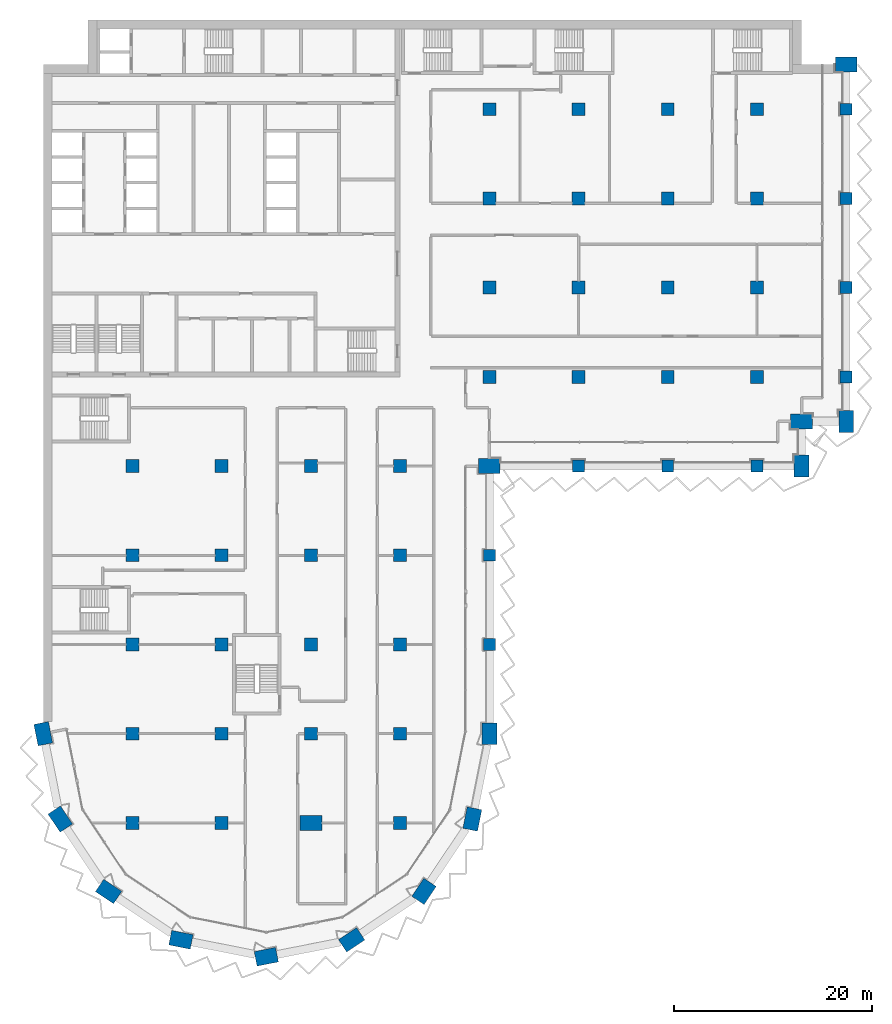
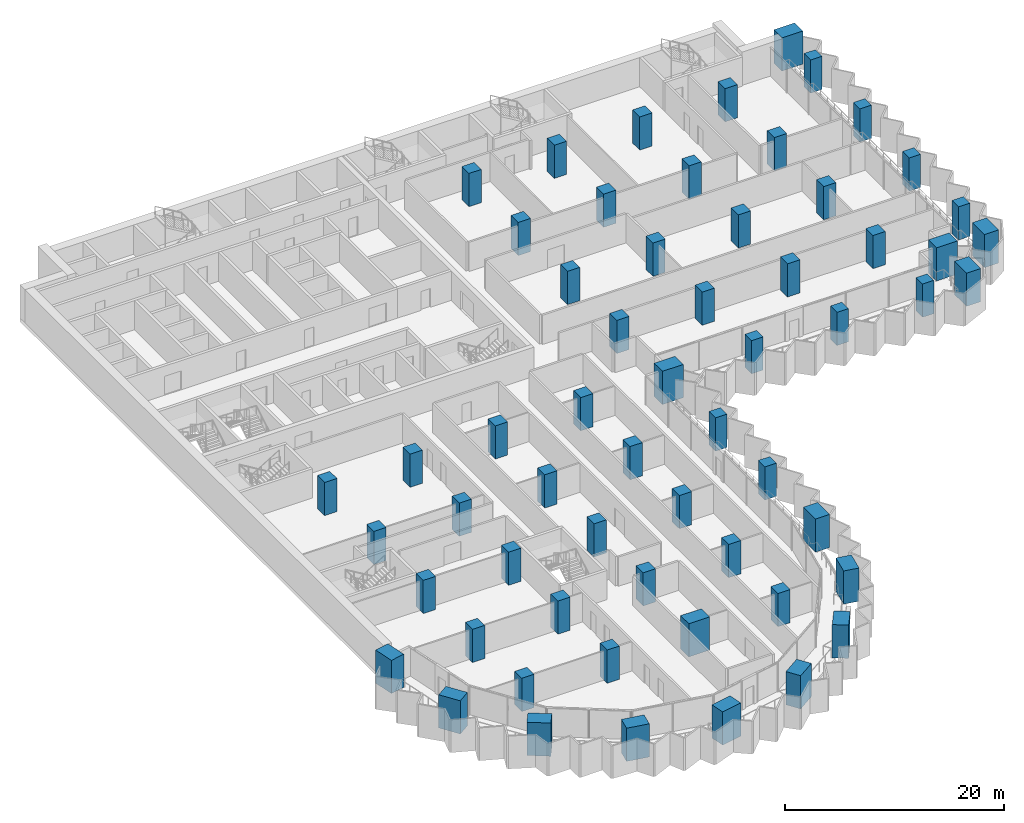
# One storey, part 1 of 23: 59 columns.
"""IFC4 building model written with IfcOpenShell, lengths in metres."""

from ifc_helpers import new_model, si_unit, direction, frame, origin, origin_2d, place, context, subcontext, project, spatial, rectangle, extrude, material, material_profile, profile_set, type_object, element, save


model = new_model("IFC4")

# Units and contexts
model_context = context("Model", 3, precision=1e-05, world=origin(), true_north=direction((0.0, 1.0)))
body_context = subcontext(model_context, "Body", "Model", "MODEL_VIEW")
ifc_project = project(units=[si_unit("LENGTHUNIT", "METRE"), si_unit("AREAUNIT", "SQUARE_METRE"), si_unit("VOLUMEUNIT", "CUBIC_METRE"), si_unit("PLANEANGLEUNIT", "RADIAN"), si_unit("MASSUNIT", "GRAM", prefix="KILO")], contexts=[model_context])

# Site, building, storey
site_placement = place(None, origin())
site = spatial("IfcSite", under=ifc_project, at=site_placement, CompositionType="ELEMENT")
building_placement = place(site_placement, origin())
building = spatial("IfcBuilding", under=site, at=building_placement, Name="Hunhe Ridgeline Campus", CompositionType="ELEMENT")
storey_placement = place(building_placement, frame((0.0, 0.0, 125.5)))
storey = spatial("IfcBuildingStorey", under=building, at=storey_placement, Name="L31", CompositionType="ELEMENT", Elevation=125.5)

# Columns
ifc_material = material(Name="Concrete C70", Category="concrete")
ifc_material_profile_1 = material_profile(ifc_material, rectangle(XDim=2.199951171875, YDim=1.5, at=origin_2d()))
ifc_profile_set_1 = profile_set([ifc_material_profile_1], Name="Concrete C70")
column_type_1 = type_object("IfcColumnType", Name="Megacolumn 2200x1500 Concrete C70", PredefinedType="COLUMN", material=ifc_profile_set_1)
for number, where, z_axis, x_axis, name in (
    (1, (22.5, 4.5, 0.0), (0.0, 0.0, 1.0), (0.980785280403, 0.195090322016, 0.0), "Column C6 R1 L31"),
    (2, (13.8896484375, 6.212646484375, 0.0), (0.0, 0.0, 1.0), (-0.980785280403, 0.195090322016, 0.0), "Column C6 R2 L31"),
    (3, (31.1103515625, 6.212646484375, 0.0), (0.0, 0.0, 1.0), (0.831469612303, 0.55557023302, 0.0), "Column C6 R3 L31"),
    (4, (6.590087890625, 11.090087890625, 0.0), (0.0, 0.0, 1.0), (-0.831469612303, 0.55557023302, 0.0), "Column C6 R4 L31"),
    (5, (38.409912109375, 11.090087890625, 0.0), (0.0, 0.0, 1.0), (0.55557023302, 0.831469612303, 0.0), "Column C6 R5 L31"),
    (6, (1.712646484375, 18.3896484375, 0.0), (0.0, 0.0, 1.0), (-0.55557023302, 0.831469612303, 0.0), "Column C6 R9 L31"),
    (7, (43.287353515625, 18.3896484375, 0.0), (0.0, 0.0, 1.0), (0.195090322016, 0.980785280403, 0.0), "Column C6 R10 L31"),
    (8, (0.0, 27.0, 0.0), (0.0, 0.0, 1.0), (-0.195090322016, 0.980785280403, 0.0), "Column C6 D1 L31"),
    (9, (45.0, 27.0, 0.0), (0.0, 0.0, 1.0), (0.0, 1.0, 0.0), "Column C6 D6 L31"),
    (10, (45.0, 54.0, 0.0), (0.0, 0.0, 1.0), (1.0, 0.0, 0.0), "Column C6 G6 L31"),
    (11, (76.5, 54.0, 0.0), (0.0, 0.0, 1.0), (0.0, 1.0, 0.0), "Column C6 R31 L31"),
    (12, (76.5, 58.5, 0.0), (0.0, 0.0, 1.0), (1.0, 0.0, 0.0), "Column C6 R37 L31"),
    (13, (81.0, 58.5, 0.0), (0.0, 0.0, 1.0), (0.0, 1.0, 0.0), "Column C6 R38 L31"),
    (14, (81.0, 94.5, 0.0), (0.0, 0.0, 1.0), (1.0, 0.0, 0.0), "Column C6 R43 L31"),
    (15, (27.0, 18.0, 0.0), (0.0, 0.0, 1.0), (1.0, 0.0, 0.0), "Column C6 C4 L31"),
):
    element("IfcColumn", number, at=place(storey_placement, frame(where, z_axis=z_axis, x_axis=x_axis)), inside=storey, type_object=column_type_1, Name=name, PredefinedType="COLUMN", context=body_context, shape_type="SweptSolid", body=[
        extrude(rectangle(XDim=2.199951171875, YDim=1.5, at=origin_2d()), origin(), (0.0, 0.0, 1.0), 3.699951171875),
    ])
ifc_material_profile_2 = material_profile(ifc_material, rectangle(XDim=1.199951171875, YDim=1.199951171875, at=origin_2d()))
ifc_profile_set_2 = profile_set([ifc_material_profile_2], Name="Concrete C70")
column_type_2 = type_object("IfcColumnType", Name="RC column 1200x1200 Concrete C70", PredefinedType="COLUMN", material=ifc_profile_set_2)
for number, where, z_axis, x_axis, name in (
    (16, (45.0, 36.0, 0.0), (0.0, 0.0, 1.0), (1.0, 0.0, 0.0), "Column C7 E6 L31"),
    (17, (45.0, 45.0, 0.0), (0.0, 0.0, 1.0), (1.0, 0.0, 0.0), "Column C7 F6 L31"),
    (18, (54.0, 54.0, 0.0), (0.0, 0.0, 1.0), (1.0, 0.0, 0.0), "Column C7 G7 L31"),
    (19, (63.0, 54.0, 0.0), (0.0, 0.0, 1.0), (1.0, 0.0, 0.0), "Column C7 G8 L31"),
    (20, (72.0, 54.0, 0.0), (0.0, 0.0, 1.0), (1.0, 0.0, 0.0), "Column C7 G9 L31"),
    (21, (81.0, 63.0, 0.0), (0.0, 0.0, 1.0), (1.0, 0.0, 0.0), "Column C7 H10 L31"),
    (22, (81.0, 72.0, 0.0), (0.0, 0.0, 1.0), (1.0, 0.0, 0.0), "Column C7 I10 L31"),
    (23, (81.0, 81.0, 0.0), (0.0, 0.0, 1.0), (1.0, 0.0, 0.0), "Column C7 J10 L31"),
    (24, (81.0, 90.0, 0.0), (0.0, 0.0, 1.0), (1.0, 0.0, 0.0), "Column C7 K10 L31"),
):
    element("IfcColumn", number, at=place(storey_placement, frame(where, z_axis=z_axis, x_axis=x_axis)), inside=storey, type_object=column_type_2, Name=name, PredefinedType="COLUMN", context=body_context, shape_type="SweptSolid", body=[
        extrude(rectangle(XDim=1.199951171875, YDim=1.199951171875, at=origin_2d()), origin(), (0.0, 0.0, 1.0), 3.699951171875),
    ])
ifc_material_profile_3 = material_profile(ifc_material, rectangle(XDim=1.300048828125, YDim=1.300048828125, at=origin_2d()))
ifc_profile_set_3 = profile_set([ifc_material_profile_3], Name="Concrete C70")
column_type_3 = type_object("IfcColumnType", Name="RC column 1300x1300 Concrete C70", PredefinedType="COLUMN", material=ifc_profile_set_3)
for number, where, z_axis, x_axis, name in (
    (25, (9.0, 18.0, 0.0), (0.0, 0.0, 1.0), (1.0, 0.0, 0.0), "Column C8 C2 L31"),
    (26, (9.0, 27.0, 0.0), (0.0, 0.0, 1.0), (1.0, 0.0, 0.0), "Column C8 D2 L31"),
    (27, (9.0, 36.0, 0.0), (0.0, 0.0, 1.0), (1.0, 0.0, 0.0), "Column C8 E2 L31"),
    (28, (9.0, 45.0, 0.0), (0.0, 0.0, 1.0), (1.0, 0.0, 0.0), "Column C8 F2 L31"),
    (29, (9.0, 54.0, 0.0), (0.0, 0.0, 1.0), (1.0, 0.0, 0.0), "Column C8 G2 L31"),
    (30, (18.0, 18.0, 0.0), (0.0, 0.0, 1.0), (1.0, 0.0, 0.0), "Column C8 C3 L31"),
    (31, (18.0, 27.0, 0.0), (0.0, 0.0, 1.0), (1.0, 0.0, 0.0), "Column C8 D3 L31"),
    (32, (18.0, 36.0, 0.0), (0.0, 0.0, 1.0), (1.0, 0.0, 0.0), "Column C8 E3 L31"),
    (33, (18.0, 45.0, 0.0), (0.0, 0.0, 1.0), (1.0, 0.0, 0.0), "Column C8 F3 L31"),
    (34, (18.0, 54.0, 0.0), (0.0, 0.0, 1.0), (1.0, 0.0, 0.0), "Column C8 G3 L31"),
    (35, (27.0, 27.0, 0.0), (0.0, 0.0, 1.0), (1.0, 0.0, 0.0), "Column C8 D4 L31"),
    (36, (27.0, 36.0, 0.0), (0.0, 0.0, 1.0), (1.0, 0.0, 0.0), "Column C8 E4 L31"),
    (37, (27.0, 45.0, 0.0), (0.0, 0.0, 1.0), (1.0, 0.0, 0.0), "Column C8 F4 L31"),
    (38, (27.0, 54.0, 0.0), (0.0, 0.0, 1.0), (1.0, 0.0, 0.0), "Column C8 G4 L31"),
    (39, (36.0, 18.0, 0.0), (0.0, 0.0, 1.0), (1.0, 0.0, 0.0), "Column C8 C5 L31"),
    (40, (36.0, 27.0, 0.0), (0.0, 0.0, 1.0), (1.0, 0.0, 0.0), "Column C8 D5 L31"),
    (41, (36.0, 36.0, 0.0), (0.0, 0.0, 1.0), (1.0, 0.0, 0.0), "Column C8 E5 L31"),
    (42, (36.0, 45.0, 0.0), (0.0, 0.0, 1.0), (1.0, 0.0, 0.0), "Column C8 F5 L31"),
    (43, (36.0, 54.0, 0.0), (0.0, 0.0, 1.0), (1.0, 0.0, 0.0), "Column C8 G5 L31"),
    (44, (45.0, 63.0, 0.0), (0.0, 0.0, 1.0), (1.0, 0.0, 0.0), "Column C8 H6 L31"),
    (45, (45.0, 72.0, 0.0), (0.0, 0.0, 1.0), (1.0, 0.0, 0.0), "Column C8 I6 L31"),
    (46, (45.0, 81.0, 0.0), (0.0, 0.0, 1.0), (1.0, 0.0, 0.0), "Column C8 J6 L31"),
    (47, (45.0, 90.0, 0.0), (0.0, 0.0, 1.0), (1.0, 0.0, 0.0), "Column C8 K6 L31"),
    (48, (54.0, 63.0, 0.0), (0.0, 0.0, 1.0), (1.0, 0.0, 0.0), "Column C8 H7 L31"),
    (49, (54.0, 72.0, 0.0), (0.0, 0.0, 1.0), (1.0, 0.0, 0.0), "Column C8 I7 L31"),
    (50, (54.0, 81.0, 0.0), (0.0, 0.0, 1.0), (1.0, 0.0, 0.0), "Column C8 J7 L31"),
    (51, (54.0, 90.0, 0.0), (0.0, 0.0, 1.0), (1.0, 0.0, 0.0), "Column C8 K7 L31"),
    (52, (63.0, 63.0, 0.0), (0.0, 0.0, 1.0), (1.0, 0.0, 0.0), "Column C8 H8 L31"),
    (53, (63.0, 72.0, 0.0), (0.0, 0.0, 1.0), (1.0, 0.0, 0.0), "Column C8 I8 L31"),
    (54, (63.0, 81.0, 0.0), (0.0, 0.0, 1.0), (1.0, 0.0, 0.0), "Column C8 J8 L31"),
    (55, (63.0, 90.0, 0.0), (0.0, 0.0, 1.0), (1.0, 0.0, 0.0), "Column C8 K8 L31"),
    (56, (72.0, 63.0, 0.0), (0.0, 0.0, 1.0), (1.0, 0.0, 0.0), "Column C8 H9 L31"),
    (57, (72.0, 72.0, 0.0), (0.0, 0.0, 1.0), (1.0, 0.0, 0.0), "Column C8 I9 L31"),
    (58, (72.0, 81.0, 0.0), (0.0, 0.0, 1.0), (1.0, 0.0, 0.0), "Column C8 J9 L31"),
    (59, (72.0, 90.0, 0.0), (0.0, 0.0, 1.0), (1.0, 0.0, 0.0), "Column C8 K9 L31"),
):
    element("IfcColumn", number, at=place(storey_placement, frame(where, z_axis=z_axis, x_axis=x_axis)), inside=storey, type_object=column_type_3, Name=name, PredefinedType="COLUMN", context=body_context, shape_type="SweptSolid", body=[
        extrude(rectangle(XDim=1.300048828125, YDim=1.300048828125, at=origin_2d()), origin(), (0.0, 0.0, 1.0), 3.699951171875),
    ])

save(model, "model.ifc")
